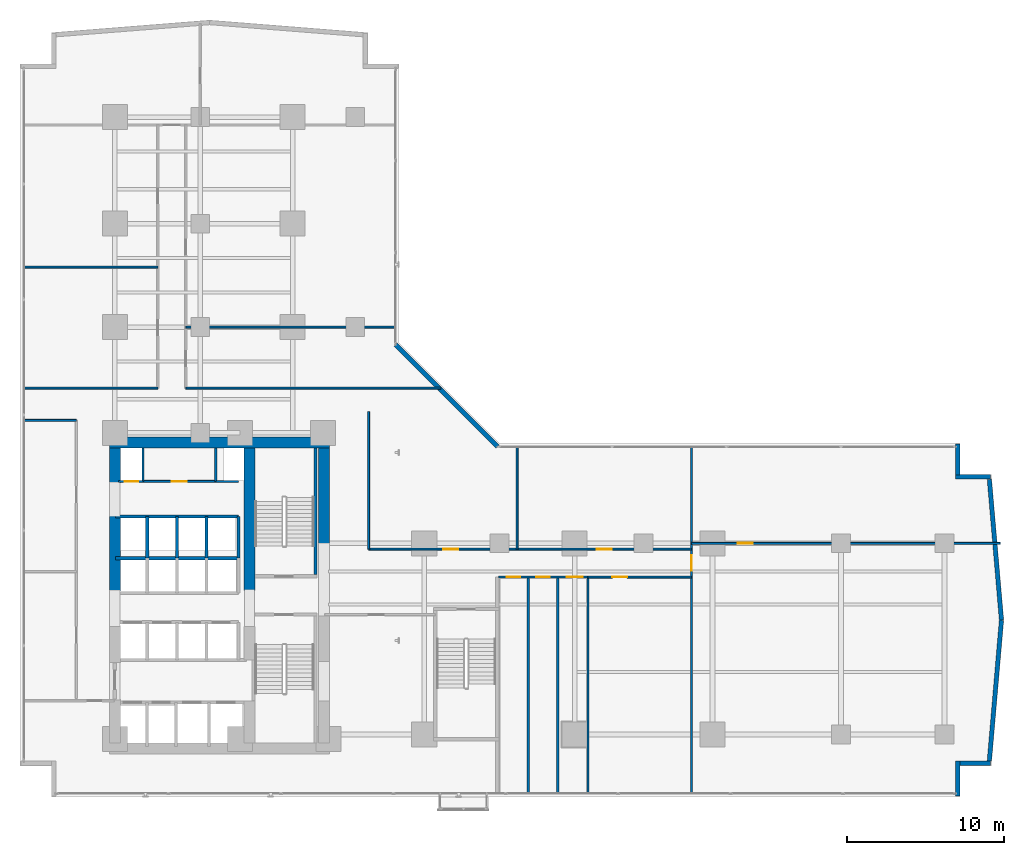
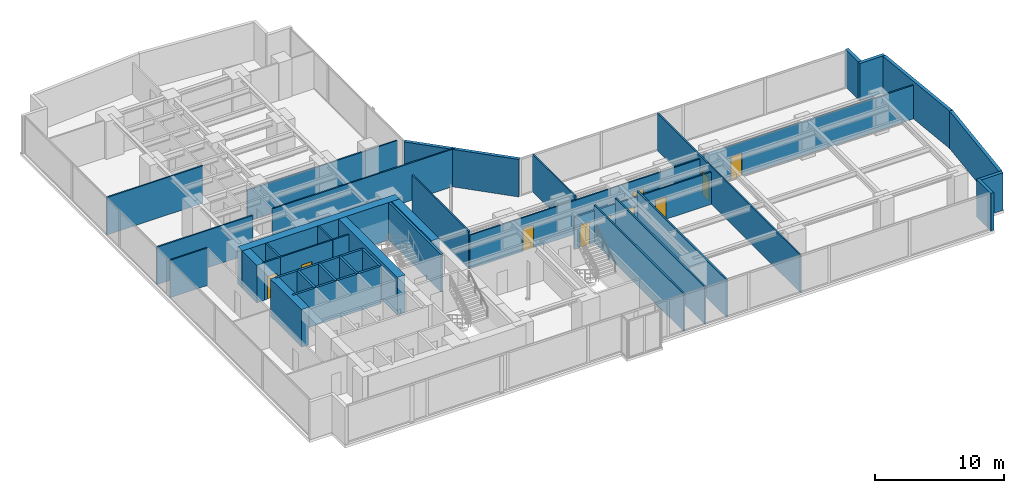
# One storey, part 23 of 27: 39 walls, 10 doors, 10 openings.
"""IFC4 building model written with IfcOpenShell, lengths in metres."""

from ifc_helpers import new_model, si_unit, direction, frame, frame_2d, origin, place, context, subcontext, project, spatial, rectangle, extrude, material, layer, layer_set, type_object, element, fill, save


model = new_model("IFC4")

# Units and contexts
model_context = context("Model", 3, precision=1e-05, world=origin(), true_north=direction((0.0, 1.0)))
body_context = subcontext(model_context, "Body", "Model", "MODEL_VIEW")
ifc_project = project(units=[si_unit("LENGTHUNIT", "METRE"), si_unit("AREAUNIT", "SQUARE_METRE"), si_unit("VOLUMEUNIT", "CUBIC_METRE"), si_unit("PLANEANGLEUNIT", "RADIAN"), si_unit("MASSUNIT", "GRAM", prefix="KILO")], contexts=[model_context])

# Site, building, storey
site_placement = place(None, origin())
site = spatial("IfcSite", under=ifc_project, at=site_placement, CompositionType="ELEMENT")
building_placement = place(site_placement, origin())
building = spatial("IfcBuilding", under=site, at=building_placement, Name="Kolvaren Waterfront Exchange", CompositionType="ELEMENT")
storey_placement = place(building_placement, frame((0.0, 0.0, 33.39990234375)))
storey = spatial("IfcBuildingStorey", under=building, at=storey_placement, Name="L08", CompositionType="ELEMENT", Elevation=33.39990234375)

# Walls
ifc_material_1 = material(Name="Precast concrete C40/50", Category="concrete")
ifc_layer_1 = layer(ifc_material_1, 0.280029296875, Name="Precast concrete C40/50")
ifc_layer_set_1 = layer_set([ifc_layer_1], Name="Precast concrete C40/50")
wall_type_1 = type_object("IfcWallType", Name="ARC-EXT-TERR-280", PredefinedType="SOLIDWALL", material=ifc_layer_set_1)
wall_1_placement = place(storey_placement, frame((61.239990234375, 1.260009765625, 0.0), z_axis=(0.0, 0.0, 1.0), x_axis=(0.0, 1.0, 0.0)))
element("IfcWall", 1, at=wall_1_placement, inside=storey, type_object=wall_type_1, Name="L08 notched corner spandrel pier SE-A", PredefinedType="SOLIDWALL", context=body_context, shape_type="SweptSolid", body=[
    extrude(rectangle(XDim=2.239990234375, YDim=0.280029296875, at=frame_2d((1.1201171875, 0.0))), origin(), (0.0, 0.0, 1.0), 3.5400390625),
])
wall_2_placement = place(storey_placement, frame((61.3798828125, 3.360107421875, 0.0), z_axis=(0.0, 0.0, 1.0), x_axis=(1.0, 0.0, 0.0)))
element("IfcWall", 2, at=wall_2_placement, inside=storey, type_object=wall_type_1, Name="L08 notched corner spandrel pier SE-B", PredefinedType="SOLIDWALL", context=body_context, shape_type="SweptSolid", body=[
    extrude(rectangle(XDim=1.960205078125, YDim=0.280029296875, at=frame_2d((0.97998046875, 0.0))), origin(), (0.0, 0.0, 1.0), 3.5400390625),
])
wall_3_placement = place(storey_placement, frame((61.239990234375, 21.764892578125, 0.0), z_axis=(0.0, 0.0, 1.0), x_axis=(0.0, 1.0, 0.0)))
element("IfcWall", 3, at=wall_3_placement, inside=storey, type_object=wall_type_1, Name="L08 notched corner spandrel pier ENE-A", PredefinedType="SOLIDWALL", context=body_context, shape_type="SweptSolid", body=[
    extrude(rectangle(XDim=1.97509765625, YDim=0.280029296875, at=frame_2d((0.987548828125, 0.0))), origin(), (0.0, 0.0, 1.0), 3.5400390625),
])
wall_4_placement = place(storey_placement, frame((61.10009765625, 21.639892578125, 0.0), z_axis=(0.0, 0.0, 1.0), x_axis=(1.0, 0.0, 0.0)))
element("IfcWall", 4, at=wall_4_placement, inside=storey, type_object=wall_type_1, Name="L08 notched corner spandrel pier ENE-B", PredefinedType="SOLIDWALL", context=body_context, shape_type="SweptSolid", body=[
    extrude(rectangle(XDim=2.239990234375, YDim=0.280029296875, at=frame_2d((1.1201171875, 0.0))), origin(), (0.0, 0.0, 1.0), 3.5400390625),
])
wall_5_placement = place(storey_placement, frame((31.885009765625, 23.574951171875, 0.0), z_axis=(0.0, 0.0, 1.0), x_axis=(-0.707106781187, 0.707106781187, 0.0)))
element("IfcWall", 5, at=wall_5_placement, inside=storey, type_object=wall_type_1, Name="L08 notched corner spandrel pier ELBOW", PredefinedType="SOLIDWALL", context=body_context, shape_type="SweptSolid", body=[
    extrude(rectangle(XDim=9.20654296875, YDim=0.280029296875, at=frame_2d((4.603271484375, 0.0))), origin(), (0.0, 0.0, 1.0), 3.5400390625),
])
for number, where, z_axis, x_axis, name in (
    (6, (63.266357421875, 3.5126953125, 0.0), (0.0, 0.0, 1.0), (0.085692274626, 0.996321651912, 0.0), "L08 east prow faceted facade wall 1"),
    (7, (64.038818359375, 12.506103515625, 0.0), (0.0, 0.0, 1.0), (-0.085692274626, 0.996321651912, 0.0), "L08 east prow faceted facade wall 2"),
):
    element("IfcWall", number, at=place(storey_placement, frame(where, z_axis=z_axis, x_axis=x_axis)), inside=storey, type_object=wall_type_1, Name=name, PredefinedType="SOLIDWALL", context=body_context, shape_type="SweptSolid", body=[
        extrude(rectangle(XDim=9.014404296875, YDim=0.280029296875, at=frame_2d((4.50732421875, 0.0))), origin(), (0.0, 0.0, 1.0), 3.5400390625),
    ])

# Wall, opening, door
ifc_material_2 = material(Name="Acoustic gypsum steel stud", Category="steel")
ifc_layer_2 = layer(ifc_material_2, 0.125, Name="Acoustic gypsum steel stud")
ifc_layer_set_2 = layer_set([ifc_layer_2], Name="Acoustic gypsum steel stud")
wall_type_2 = type_object("IfcWallType", Name="ARC-PART-125", PredefinedType="PARTITIONING", material=ifc_layer_set_2)
wall_6_placement = place(storey_placement, frame((9.25, 21.35009765625, 0.0), z_axis=(0.0, 0.0, 1.0), x_axis=(1.0, 0.0, 0.0)))
wall_6 = element("IfcWall", 8, at=wall_6_placement, inside=storey, type_object=wall_type_2, Name="L08 interior wall PW-L08-SVC-EX-S", PredefinedType="PARTITIONING", context=body_context, shape_type="SweptSolid", body=[
    extrude(rectangle(XDim=4.64990234375, YDim=0.125, at=frame_2d((2.324951171875, 0.0))), origin(), (0.0, 0.0, 1.0), 3.5400390625),
])
opening_1_placement = place(wall_6_placement, frame((1.85009765625, 0.0, 0.0)))
opening_1 = element("IfcOpeningElement", 9, at=opening_1_placement, cuts=wall_6, Name="Opening D02", PredefinedType="OPENING", context=body_context, shape_type="SweptSolid", body=[
    extrude(rectangle(XDim=0.949951171875, YDim=2.14990234375, at=frame_2d((0.47509765625, 1.074951171875))), frame((0.0, 0.072509765625, 0.0), z_axis=(0.0, -1.0, 0.0), x_axis=(1.0, 0.0, 0.0)), (0.0, 0.0, 1.0), 0.14501953125),
])
ifc_material_3 = material(Name="Oak veneer acoustic timber", Category="wood")
door_type_1 = type_object("IfcDoorType", Name="ARC-DR-950", OperationType="NOTDEFINED", PredefinedType="DOOR", material=ifc_material_3)
door_1_placement = place(opening_1_placement, origin())
door_1 = element("IfcDoor", 10, at=door_1_placement, inside=storey, type_object=door_type_1, Name="L08 door DR-L08-SVC-DR-1 (D02)", OperationType="SINGLE_SWING_LEFT", OverallHeight=2.14990234375, OverallWidth=0.949951171875, PredefinedType="DOOR", context=body_context, shape_type="SweptSolid", body=[
    extrude(rectangle(XDim=0.949951171875, YDim=2.14990234375, at=frame_2d((0.47509765625, 1.074951171875))), frame((0.0, 0.02490234375, 0.0), z_axis=(0.0, -1.0, 0.0), x_axis=(1.0, 0.0, 0.0)), (0.0, 0.0, 1.0), 0.050048828125),
])
fill(opening_1, door_1)

# Wall
wall_7_placement = place(storey_placement, frame((1.639892578125, 25.25, 0.0), z_axis=(0.0, 0.0, 1.0), x_axis=(1.0, 0.0, 0.0)))
element("IfcWall", 11, at=wall_7_placement, inside=storey, type_object=wall_type_2, Name="L08 interior wall PW-L08-WFLANK-N", PredefinedType="PARTITIONING", context=body_context, shape_type="SweptSolid", body=[
    extrude(rectangle(XDim=3.360107421875, YDim=0.125, at=frame_2d((1.68017578125, 0.0))), origin(), (0.0, 0.0, 1.0), 3.5400390625),
])

# Wall, opening, door
wall_8_placement = place(storey_placement, frame((37.64990234375, 15.25, 0.0), z_axis=(0.0, 0.0, 1.0), x_axis=(1.0, 0.0, 0.0)))
wall_8 = element("IfcWall", 12, at=wall_8_placement, inside=storey, type_object=wall_type_2, Name="L08 interior wall PW-L08-ES-CORR", PredefinedType="PARTITIONING", context=body_context, shape_type="SweptSolid", body=[
    extrude(rectangle(XDim=6.60009765625, YDim=0.125, at=frame_2d((3.300048828125, 0.0))), origin(), (0.0, 0.0, 1.0), 3.0400390625),
])
opening_2_placement = place(wall_8_placement, frame((1.5556640625, 0.0, 0.0)))
opening_2 = element("IfcOpeningElement", 13, at=opening_2_placement, cuts=wall_8, Name="Opening D02", PredefinedType="OPENING", context=body_context, shape_type="SweptSolid", body=[
    extrude(rectangle(XDim=0.949951171875, YDim=2.14990234375, at=frame_2d((0.47509765625, 1.074951171875))), frame((0.0, 0.072509765625, 0.0), z_axis=(0.0, -1.0, 0.0), x_axis=(1.0, 0.0, 0.0)), (0.0, 0.0, 1.0), 0.14501953125),
])
door_2_placement = place(opening_2_placement, origin())
door_2 = element("IfcDoor", 14, at=door_2_placement, inside=storey, type_object=door_type_1, Name="L08 door DR-L08-ES-D-1 (D02)", OperationType="SINGLE_SWING_LEFT", OverallHeight=2.14990234375, OverallWidth=0.949951171875, PredefinedType="DOOR", context=body_context, shape_type="SweptSolid", body=[
    extrude(rectangle(XDim=0.949951171875, YDim=2.14990234375, at=frame_2d((0.47509765625, 1.074951171875))), frame((0.0, 0.02490234375, 0.0), z_axis=(0.0, -1.0, 0.0), x_axis=(1.0, 0.0, 0.0)), (0.0, 0.0, 1.0), 0.050048828125),
])
fill(opening_2, door_2)

wall_9_placement = place(storey_placement, frame((44.25, 1.43994140625, 0.0), z_axis=(0.0, 0.0, 1.0), x_axis=(0.0, 1.0, 0.0)))
wall_9 = element("IfcWall", 15, at=wall_9_placement, inside=storey, type_object=wall_type_2, Name="L08 interior wall PW-L08-ETIP-W", PredefinedType="PARTITIONING", context=body_context, shape_type="SweptSolid", body=[
    extrude(rectangle(XDim=22.1201171875, YDim=0.125, at=frame_2d((11.06005859375, 0.0))), origin(), (0.0, 0.0, 1.0), 3.5400390625),
])
opening_3_placement = place(wall_9_placement, frame((14.199951171875, 0.0, 0.0)))
opening_3 = element("IfcOpeningElement", 16, at=opening_3_placement, cuts=wall_9, Name="Opening D03", PredefinedType="OPENING", context=body_context, shape_type="SweptSolid", body=[
    extrude(rectangle(XDim=1.0, YDim=2.199951171875, at=frame_2d((0.5, 1.10009765625))), frame((0.0, 0.072509765625, 0.0), z_axis=(0.0, -1.0, 0.0), x_axis=(1.0, 0.0, 0.0)), (0.0, 0.0, 1.0), 0.14501953125),
])
ifc_material_4 = material(Name="Oak veneer accessible timber", Category="wood")
door_type_2 = type_object("IfcDoorType", Name="ARC-DR-1000", OperationType="NOTDEFINED", PredefinedType="DOOR", material=ifc_material_4)
door_3_placement = place(opening_3_placement, origin())
door_3 = element("IfcDoor", 17, at=door_3_placement, inside=storey, type_object=door_type_2, Name="L08 door DR-L08-ETIP1-D (D03)", OperationType="SINGLE_SWING_RIGHT", OverallHeight=2.199951171875, OverallWidth=1.0, PredefinedType="DOOR", context=body_context, shape_type="SweptSolid", body=[
    extrude(rectangle(XDim=1.0, YDim=2.199951171875, at=frame_2d((0.5, 1.10009765625))), frame((0.0, 0.02490234375, 0.0), z_axis=(0.0, -1.0, 0.0), x_axis=(1.0, 0.0, 0.0)), (0.0, 0.0, 1.0), 0.050048828125),
])
fill(opening_3, door_3)

wall_10_placement = place(storey_placement, frame((44.25, 17.39990234375, 0.0), z_axis=(0.0, 0.0, 1.0), x_axis=(1.0, 0.0, 0.0)))
wall_10 = element("IfcWall", 18, at=wall_10_placement, inside=storey, type_object=wall_type_2, Name="L08 interior wall PW-L08-ETIP-MID", PredefinedType="PARTITIONING", context=body_context, shape_type="SweptSolid", body=[
    extrude(rectangle(XDim=19.7099609375, YDim=0.125, at=frame_2d((9.85498046875, 0.0))), origin(), (0.0, 0.0, 1.0), 3.18017578125),
])
opening_4_placement = place(wall_10_placement, frame((2.949951171875, 0.0, 0.0)))
opening_4 = element("IfcOpeningElement", 19, at=opening_4_placement, cuts=wall_10, Name="Opening D02", PredefinedType="OPENING", context=body_context, shape_type="SweptSolid", body=[
    extrude(rectangle(XDim=0.949951171875, YDim=2.14990234375, at=frame_2d((0.47509765625, 1.074951171875))), frame((0.0, 0.072509765625, 0.0), z_axis=(0.0, -1.0, 0.0), x_axis=(1.0, 0.0, 0.0)), (0.0, 0.0, 1.0), 0.14501953125),
])
door_4_placement = place(opening_4_placement, origin())
door_4 = element("IfcDoor", 20, at=door_4_placement, inside=storey, type_object=door_type_1, Name="L08 door DR-L08-ETIP2-D (D02)", OperationType="SINGLE_SWING_LEFT", OverallHeight=2.14990234375, OverallWidth=0.949951171875, PredefinedType="DOOR", context=body_context, shape_type="SweptSolid", body=[
    extrude(rectangle(XDim=0.949951171875, YDim=2.14990234375, at=frame_2d((0.47509765625, 1.074951171875))), frame((0.0, 0.02490234375, 0.0), z_axis=(0.0, -1.0, 0.0), x_axis=(1.0, 0.0, 0.0)), (0.0, 0.0, 1.0), 0.050048828125),
])
fill(opening_4, door_4)

# Wall
wall_11_placement = place(storey_placement, frame((23.64990234375, 17.030029296875, 0.0), z_axis=(0.0, 0.0, 1.0), x_axis=(0.0, 1.0, 0.0)))
element("IfcWall", 21, at=wall_11_placement, inside=storey, type_object=wall_type_2, Name="L08 interior wall PW-L08-EN-W0", PredefinedType="PARTITIONING", context=body_context, shape_type="SweptSolid", body=[
    extrude(rectangle(XDim=8.77001953125, YDim=0.125, at=frame_2d((4.385009765625, 0.0))), origin(), (0.0, 0.0, 1.0), 3.5400390625),
])

# Wall, openings, doors
wall_12_placement = place(storey_placement, frame((23.64990234375, 17.030029296875, 0.0), z_axis=(0.0, 0.0, 1.0), x_axis=(1.0, 0.0, 0.0)))
wall_12 = element("IfcWall", 22, at=wall_12_placement, inside=storey, type_object=wall_type_2, Name="L08 interior wall PW-L08-EN-CORR", PredefinedType="PARTITIONING", context=body_context, shape_type="SweptSolid", body=[
    extrude(rectangle(XDim=20.60009765625, YDim=0.125, at=frame_2d((10.300048828125, 0.0))), origin(), (0.0, 0.0, 1.0), 3.18017578125),
])
opening_5_placement = place(wall_12_placement, frame((4.7568359375, 0.0, 0.0)))
opening_5 = element("IfcOpeningElement", 23, at=opening_5_placement, cuts=wall_12, Name="Opening D02", PredefinedType="OPENING", context=body_context, shape_type="SweptSolid", body=[
    extrude(rectangle(XDim=0.949951171875, YDim=2.14990234375, at=frame_2d((0.47509765625, 1.074951171875))), frame((0.0, 0.072509765625, 0.0), z_axis=(0.0, -1.0, 0.0), x_axis=(1.0, 0.0, 0.0)), (0.0, 0.0, 1.0), 0.14501953125),
])
opening_6_placement = place(wall_12_placement, frame((14.56494140625, 0.0, 0.0)))
opening_6 = element("IfcOpeningElement", 24, at=opening_6_placement, cuts=wall_12, Name="Opening D02", PredefinedType="OPENING", context=body_context, shape_type="SweptSolid", body=[
    extrude(rectangle(XDim=0.949951171875, YDim=2.14990234375, at=frame_2d((0.47509765625, 1.074951171875))), frame((0.0, 0.072509765625, 0.0), z_axis=(0.0, -1.0, 0.0), x_axis=(1.0, 0.0, 0.0)), (0.0, 0.0, 1.0), 0.14501953125),
])
door_5_placement = place(opening_5_placement, origin())
door_5 = element("IfcDoor", 25, at=door_5_placement, inside=storey, type_object=door_type_1, Name="L08 door DR-L08-EN-D-1 (D02)", OperationType="SINGLE_SWING_RIGHT", OverallHeight=2.14990234375, OverallWidth=0.949951171875, PredefinedType="DOOR", context=body_context, shape_type="SweptSolid", body=[
    extrude(rectangle(XDim=0.949951171875, YDim=2.14990234375, at=frame_2d((0.47509765625, 1.074951171875))), frame((0.0, 0.02490234375, 0.0), z_axis=(0.0, -1.0, 0.0), x_axis=(1.0, 0.0, 0.0)), (0.0, 0.0, 1.0), 0.050048828125),
])
fill(opening_5, door_5)
door_6_placement = place(opening_6_placement, origin())
door_6 = element("IfcDoor", 26, at=door_6_placement, inside=storey, type_object=door_type_1, Name="L08 door DR-L08-EN-D-2 (D02)", OperationType="SINGLE_SWING_LEFT", OverallHeight=2.14990234375, OverallWidth=0.949951171875, PredefinedType="DOOR", context=body_context, shape_type="SweptSolid", body=[
    extrude(rectangle(XDim=0.949951171875, YDim=2.14990234375, at=frame_2d((0.47509765625, 1.074951171875))), frame((0.0, 0.02490234375, 0.0), z_axis=(0.0, -1.0, 0.0), x_axis=(1.0, 0.0, 0.0)), (0.0, 0.0, 1.0), 0.050048828125),
])
fill(opening_6, door_6)

# Walls
wall_13_placement = place(storey_placement, frame((33.1298828125, 17.030029296875, 0.0), z_axis=(0.0, 0.0, 1.0), x_axis=(0.0, 1.0, 0.0)))
element("IfcWall", 27, at=wall_13_placement, inside=storey, type_object=wall_type_2, Name="L08 interior wall PW-L08-EN-DIV-1", PredefinedType="PARTITIONING", context=body_context, shape_type="SweptSolid", body=[
    extrude(rectangle(XDim=6.530029296875, YDim=0.125, at=frame_2d((3.26513671875, 0.0))), origin(), (0.0, 0.0, 1.0), 3.5400390625),
])
for number, where, z_axis, x_axis, name in (
    (28, (1.639892578125, 27.300048828125, 0.0), (0.0, 0.0, 1.0), (1.0, 0.0, 0.0), "L08 interior wall PW-L08-NW-S0"),
    (29, (1.639892578125, 35.030029296875, 0.0), (0.0, 0.0, 1.0), (1.0, 0.0, 0.0), "L08 interior wall PW-L08-NW-DIV-1"),
):
    element("IfcWall", number, at=place(storey_placement, frame(where, z_axis=z_axis, x_axis=x_axis)), inside=storey, type_object=wall_type_2, Name=name, PredefinedType="PARTITIONING", context=body_context, shape_type="SweptSolid", body=[
        extrude(rectangle(XDim=8.56005859375, YDim=0.125, at=frame_2d((4.280029296875, 0.0))), origin(), (0.0, 0.0, 1.0), 3.5400390625),
    ])
wall_14_placement = place(storey_placement, frame((11.97998046875, 27.300048828125, 0.0), z_axis=(0.0, 0.0, 1.0), x_axis=(1.0, 0.0, 0.0)))
element("IfcWall", 30, at=wall_14_placement, inside=storey, type_object=wall_type_2, Name="L08 interior wall PW-L08-NE-S0", PredefinedType="PARTITIONING", context=body_context, shape_type="SweptSolid", body=[
    extrude(rectangle(XDim=16.280029296875, YDim=0.125, at=frame_2d((8.14013671875, 0.0))), origin(), (0.0, 0.0, 1.0), 3.5400390625),
])
wall_15_placement = place(storey_placement, frame((11.97998046875, 31.199951171875, 0.0), z_axis=(0.0, 0.0, 1.0), x_axis=(1.0, 0.0, 0.0)))
element("IfcWall", 31, at=wall_15_placement, inside=storey, type_object=wall_type_2, Name="L08 interior wall PW-L08-NE-DIV-1", PredefinedType="PARTITIONING", context=body_context, shape_type="SweptSolid", body=[
    extrude(rectangle(XDim=13.380126953125, YDim=0.125, at=frame_2d((6.68994140625, 0.0))), origin(), (0.0, 0.0, 1.0), 2.940185546875),
])
ifc_material_5 = material(Name="Gypsum fireboard steel stud", Category="steel")
ifc_layer_3 = layer(ifc_material_5, 0.14990234375, Name="Gypsum fireboard steel stud")
ifc_layer_set_3 = layer_set([ifc_layer_3], Name="Gypsum fireboard steel stud")
wall_type_3 = type_object("IfcWallType", Name="ARC-PART-150", PredefinedType="PARTITIONING", material=ifc_layer_set_3)
for number, where, z_axis, x_axis, name in (
    (32, (9.25, 21.35009765625, 0.0), (0.0, 0.0, 1.0), (0.0, 1.0, 0.0), "L08 interior wall PW-L08-SVC-R1"),
    (33, (13.89990234375, 21.35009765625, 0.0), (0.0, 0.0, 1.0), (0.0, 1.0, 0.0), "L08 interior wall PW-L08-SVC-R2"),
):
    element("IfcWall", number, at=place(storey_placement, frame(where, z_axis=z_axis, x_axis=x_axis)), inside=storey, type_object=wall_type_3, Name=name, PredefinedType="PARTITIONING", context=body_context, shape_type="SweptSolid", body=[
        extrude(rectangle(XDim=2.1298828125, YDim=0.14990234375, at=frame_2d((1.06494140625, 0.0))), origin(), (0.0, 0.0, 1.0), 3.5400390625),
    ])

# Wall, opening, door
wall_16_placement = place(storey_placement, frame((7.699951171875, 21.35009765625, 0.0), z_axis=(0.0, 0.0, 1.0), x_axis=(1.0, 0.0, 0.0)))
wall_16 = element("IfcWall", 34, at=wall_16_placement, inside=storey, type_object=wall_type_3, Name="L08 interior wall PW-L08-SVC-RE-S", PredefinedType="PARTITIONING", context=body_context, shape_type="SweptSolid", body=[
    extrude(rectangle(XDim=1.550048828125, YDim=0.14990234375, at=frame_2d((0.77490234375, 0.0))), origin(), (0.0, 0.0, 1.0), 3.5400390625),
])
opening_7_placement = place(wall_16_placement, frame((0.389892578125, 0.0, 0.0)))
opening_7 = element("IfcOpeningElement", 35, at=opening_7_placement, cuts=wall_16, Name="Opening FD1", PredefinedType="OPENING", context=body_context, shape_type="SweptSolid", body=[
    extrude(rectangle(XDim=0.85009765625, YDim=2.14990234375, at=frame_2d((0.425048828125, 1.074951171875))), frame((0.0, 0.0849609375, 0.0), z_axis=(0.0, -1.0, 0.0), x_axis=(1.0, 0.0, 0.0)), (0.0, 0.0, 1.0), 0.169921875),
])
ifc_material_6 = material(Name="Pressed steel fire leaf", Category="steel")
door_type_3 = type_object("IfcDoorType", Name="ARC-FD-900", OperationType="NOTDEFINED", PredefinedType="DOOR", material=ifc_material_6)
door_7_placement = place(opening_7_placement, origin())
door_7 = element("IfcDoor", 36, at=door_7_placement, inside=storey, type_object=door_type_3, Name="L08 door DR-L08-RISER-E-DR (FD1)", OperationType="SINGLE_SWING_RIGHT", OverallHeight=2.14990234375, OverallWidth=0.85009765625, PredefinedType="DOOR", context=body_context, shape_type="SweptSolid", body=[
    extrude(rectangle(XDim=0.85009765625, YDim=2.14990234375, at=frame_2d((0.425048828125, 1.074951171875))), frame((0.0, 0.02490234375, 0.0), z_axis=(0.0, -1.0, 0.0), x_axis=(1.0, 0.0, 0.0)), (0.0, 0.0, 1.0), 0.050048828125),
])
fill(opening_7, door_7)

# Wall
wall_17_placement = place(storey_placement, frame((13.89990234375, 21.35009765625, 0.0), z_axis=(0.0, 0.0, 1.0), x_axis=(1.0, 0.0, 0.0)))
element("IfcWall", 37, at=wall_17_placement, inside=storey, type_object=wall_type_3, Name="L08 interior wall PW-L08-SVC-RP-S", PredefinedType="PARTITIONING", context=body_context, shape_type="SweptSolid", body=[
    extrude(rectangle(XDim=1.4501953125, YDim=0.14990234375, at=frame_2d((0.72509765625, 0.0))), origin(), (0.0, 0.0, 1.0), 3.5400390625),
])

# Wall, openings, doors
ifc_material_7 = material(Name="Moisture-resistant gypsum stud")
ifc_layer_4 = layer(ifc_material_7, 0.14990234375, Name="Moisture-resistant gypsum stud")
ifc_layer_set_4 = layer_set([ifc_layer_4], Name="Moisture-resistant gypsum stud")
wall_type_4 = type_object("IfcWallType", Name="ARC-PLUMB-150", PredefinedType="PLUMBINGWALL", material=ifc_layer_set_4)
wall_18_placement = place(storey_placement, frame((31.949951171875, 15.25, 0.0), z_axis=(0.0, 0.0, 1.0), x_axis=(1.0, 0.0, 0.0)))
wall_18 = element("IfcWall", 38, at=wall_18_placement, inside=storey, type_object=wall_type_4, Name="L08 interior wall PW-L08-WC-N", PredefinedType="PLUMBINGWALL", context=body_context, shape_type="SweptSolid", body=[
    extrude(rectangle(XDim=5.699951171875, YDim=0.14990234375, at=frame_2d((2.85009765625, 0.0))), origin(), (0.0, 0.0, 1.0), 3.0400390625),
])
opening_8_placement = place(wall_18_placement, frame((0.514892578125, 0.0, 0.0)))
opening_8 = element("IfcOpeningElement", 39, at=opening_8_placement, cuts=wall_18, Name="Opening D01", PredefinedType="OPENING", context=body_context, shape_type="SweptSolid", body=[
    extrude(rectangle(XDim=0.85009765625, YDim=2.14990234375, at=frame_2d((0.425048828125, 1.074951171875))), frame((0.0, 0.0849609375, 0.0), z_axis=(0.0, -1.0, 0.0), x_axis=(1.0, 0.0, 0.0)), (0.0, 0.0, 1.0), 0.169921875),
])
opening_9_placement = place(wall_18_placement, frame((2.39501953125, 0.0, 0.0)))
opening_9 = element("IfcOpeningElement", 40, at=opening_9_placement, cuts=wall_18, Name="Opening D01", PredefinedType="OPENING", context=body_context, shape_type="SweptSolid", body=[
    extrude(rectangle(XDim=0.85009765625, YDim=2.14990234375, at=frame_2d((0.425048828125, 1.074951171875))), frame((0.0, 0.0849609375, 0.0), z_axis=(0.0, -1.0, 0.0), x_axis=(1.0, 0.0, 0.0)), (0.0, 0.0, 1.0), 0.169921875),
])
opening_10_placement = place(wall_18_placement, frame((4.35009765625, 0.0, 0.0)))
opening_10 = element("IfcOpeningElement", 41, at=opening_10_placement, cuts=wall_18, Name="Opening D03", PredefinedType="OPENING", context=body_context, shape_type="SweptSolid", body=[
    extrude(rectangle(XDim=1.0, YDim=2.199951171875, at=frame_2d((0.5, 1.10009765625))), frame((0.0, 0.0849609375, 0.0), z_axis=(0.0, -1.0, 0.0), x_axis=(1.0, 0.0, 0.0)), (0.0, 0.0, 1.0), 0.169921875),
])
door_8_placement = place(opening_10_placement, origin())
door_8 = element("IfcDoor", 42, at=door_8_placement, inside=storey, type_object=door_type_2, Name="L08 door DR-L08-WCA-D (D03)", OperationType="SINGLE_SWING_RIGHT", OverallHeight=2.199951171875, OverallWidth=1.0, PredefinedType="DOOR", context=body_context, shape_type="SweptSolid", body=[
    extrude(rectangle(XDim=1.0, YDim=2.199951171875, at=frame_2d((0.5, 1.10009765625))), frame((0.0, 0.02490234375, 0.0), z_axis=(0.0, -1.0, 0.0), x_axis=(1.0, 0.0, 0.0)), (0.0, 0.0, 1.0), 0.050048828125),
])
fill(opening_10, door_8)
ifc_material_8 = material(Name="Oak veneer timber leaf", Category="wood")
door_type_4 = type_object("IfcDoorType", Name="ARC-DR-900", OperationType="NOTDEFINED", PredefinedType="DOOR", material=ifc_material_8)
door_9_placement = place(opening_8_placement, origin())
door_9 = element("IfcDoor", 43, at=door_9_placement, inside=storey, type_object=door_type_4, Name="L08 door DR-L08-WCM-D (D01)", OperationType="SINGLE_SWING_RIGHT", OverallHeight=2.14990234375, OverallWidth=0.85009765625, PredefinedType="DOOR", context=body_context, shape_type="SweptSolid", body=[
    extrude(rectangle(XDim=0.85009765625, YDim=2.14990234375, at=frame_2d((0.425048828125, 1.074951171875))), frame((0.0, 0.02490234375, 0.0), z_axis=(0.0, -1.0, 0.0), x_axis=(1.0, 0.0, 0.0)), (0.0, 0.0, 1.0), 0.050048828125),
])
fill(opening_8, door_9)
door_10_placement = place(opening_9_placement, origin())
door_10 = element("IfcDoor", 44, at=door_10_placement, inside=storey, type_object=door_type_4, Name="L08 door DR-L08-WCF-D (D01)", OperationType="SINGLE_SWING_LEFT", OverallHeight=2.14990234375, OverallWidth=0.85009765625, PredefinedType="DOOR", context=body_context, shape_type="SweptSolid", body=[
    extrude(rectangle(XDim=0.85009765625, YDim=2.14990234375, at=frame_2d((0.425048828125, 1.074951171875))), frame((0.0, 0.02490234375, 0.0), z_axis=(0.0, -1.0, 0.0), x_axis=(1.0, 0.0, 0.0)), (0.0, 0.0, 1.0), 0.050048828125),
])
fill(opening_9, door_10)

# Walls
for number, where, z_axis, x_axis, name in (
    (45, (33.830078125, 1.43994140625, 0.0), (0.0, 0.0, 1.0), (0.0, 1.0, 0.0), "L08 interior wall PW-L08-WC-1"),
    (46, (35.7099609375, 1.43994140625, 0.0), (0.0, 0.0, 1.0), (0.0, 1.0, 0.0), "L08 interior wall PW-L08-WC-2"),
    (47, (37.64990234375, 1.43994140625, 0.0), (0.0, 0.0, 1.0), (0.0, 1.0, 0.0), "L08 interior wall PW-L08-WC-3"),
):
    element("IfcWall", number, at=place(storey_placement, frame(where, z_axis=z_axis, x_axis=x_axis)), inside=storey, type_object=wall_type_4, Name=name, PredefinedType="PLUMBINGWALL", context=body_context, shape_type="SweptSolid", body=[
        extrude(rectangle(XDim=13.81005859375, YDim=0.14990234375, at=frame_2d((6.905029296875, 0.0))), origin(), (0.0, 0.0, 1.0), 3.5400390625),
    ])
ifc_material_9 = material(Name="Concrete C40/50", Category="concrete")
ifc_layer_5 = layer(ifc_material_9, 0.199951171875, Name="Concrete C40/50")
ifc_layer_set_5 = layer_set([ifc_layer_5], Name="Concrete C40/50")
wall_type_5 = type_object("IfcWallType", Name="ARC-SHAFT-200", PredefinedType="PARTITIONING", material=ifc_layer_set_5)
wall_19_placement = place(storey_placement, frame((20.260009765625, 15.39990234375, 0.0), z_axis=(0.0, 0.0, 1.0), x_axis=(0.0, 1.0, 0.0)))
element("IfcWall", 48, at=wall_19_placement, inside=storey, type_object=wall_type_5, Name="L08 structural stairwell wall PW-L08-ST2-E", PredefinedType="SHEAR", context=body_context, shape_type="SweptSolid", body=[
    extrude(rectangle(XDim=8.090087890625, YDim=0.199951171875, at=frame_2d((4.044921875, 0.0))), origin(), (0.0, 0.0, 1.0), 3.5400390625),
])
for number, where, z_axis, x_axis, name in (
    (49, (7.5, 16.449951171875, 0.0), (0.0, 0.0, 1.0), (1.0, 0.0, 0.0), "L08 interior wall PW-L08-PM-N"),
    (50, (7.5, 19.1201171875, 0.0), (0.0, 0.0, 1.0), (1.0, 0.0, 0.0), "L08 interior wall PW-L08-PH-N"),
):
    element("IfcWall", number, at=place(storey_placement, frame(where, z_axis=z_axis, x_axis=x_axis)), inside=storey, type_object=wall_type_5, Name=name, PredefinedType="PARTITIONING", context=body_context, shape_type="SweptSolid", body=[
        extrude(rectangle(XDim=7.85009765625, YDim=0.199951171875, at=frame_2d((3.925048828125, 0.0))), origin(), (0.0, 0.0, 1.0), 3.5400390625),
    ])
for number, where, z_axis, x_axis, name in (
    (51, (15.35009765625, 16.449951171875, 0.0), (0.0, 0.0, 1.0), (0.0, 1.0, 0.0), "L08 interior wall PW-L08-PH-E"),
    (52, (9.52001953125, 16.449951171875, 0.0), (0.0, 0.0, 1.0), (0.0, 1.0, 0.0), "L08 interior wall PW-L08-SH4-DIV-95"),
    (53, (11.409912109375, 16.449951171875, 0.0), (0.0, 0.0, 1.0), (0.0, 1.0, 0.0), "L08 interior wall PW-L08-SH4-DIV-114"),
    (54, (13.300048828125, 16.449951171875, 0.0), (0.0, 0.0, 1.0), (0.0, 1.0, 0.0), "L08 interior wall PW-L08-SH4-DIV-133"),
):
    element("IfcWall", number, at=place(storey_placement, frame(where, z_axis=z_axis, x_axis=x_axis)), inside=storey, type_object=wall_type_5, Name=name, PredefinedType="PARTITIONING", context=body_context, shape_type="SweptSolid", body=[
        extrude(rectangle(XDim=2.670166015625, YDim=0.199951171875, at=frame_2d((1.3349609375, 0.0))), origin(), (0.0, 0.0, 1.0), 3.5400390625),
    ])
ifc_material_10 = material(Name="Concrete C70/85", Category="concrete")
ifc_layer_6 = layer(ifc_material_10, 0.699951171875, Name="Concrete C70/85")
ifc_layer_set_6 = layer_set([ifc_layer_6], Name="Concrete C70/85")
wall_type_6 = type_object("IfcWallType", Name="STR-CWALL-700", PredefinedType="SHEAR", material=ifc_layer_set_6)
wall_20_placement = place(storey_placement, frame((7.10009765625, 23.85009765625, 0.0), z_axis=(0.0, 0.0, 1.0), x_axis=(1.0, 0.0, 0.0)))
element("IfcWall", 55, at=wall_20_placement, inside=storey, type_object=wall_type_6, Name="L08 rear-core shear wall N", PredefinedType="SHEAR", context=body_context, shape_type="SweptSolid", body=[
    extrude(rectangle(XDim=14.0498046875, YDim=0.699951171875, at=frame_2d((7.02490234375, 0.0))), origin(), (0.0, 0.0, 1.0), 3.5400390625),
])
wall_21_placement = place(storey_placement, frame((7.449951171875, 14.35009765625, 0.0), z_axis=(0.0, 0.0, 1.0), x_axis=(0.0, 1.0, 0.0)))
element("IfcWall", 56, at=wall_21_placement, inside=storey, type_object=wall_type_6, Name="L08 rear-core shear wall W2B", PredefinedType="SHEAR", context=body_context, shape_type="SweptSolid", body=[
    extrude(rectangle(XDim=4.809814453125, YDim=0.699951171875, at=frame_2d((2.40478515625, 0.0))), origin(), (0.0, 0.0, 1.0), 3.5400390625),
])
wall_22_placement = place(storey_placement, frame((7.449951171875, 21.239990234375, 0.0), z_axis=(0.0, 0.0, 1.0), x_axis=(0.0, 1.0, 0.0)))
element("IfcWall", 57, at=wall_22_placement, inside=storey, type_object=wall_type_6, Name="L08 rear-core shear wall W3", PredefinedType="SHEAR", context=body_context, shape_type="SweptSolid", body=[
    extrude(rectangle(XDim=2.260009765625, YDim=0.699951171875, at=frame_2d((1.1298828125, 0.0))), origin(), (0.0, 0.0, 1.0), 3.5400390625),
])
wall_23_placement = place(storey_placement, frame((20.800048828125, 17.35009765625, 0.0), z_axis=(0.0, 0.0, 1.0), x_axis=(0.0, 1.0, 0.0)))
element("IfcWall", 58, at=wall_23_placement, inside=storey, type_object=wall_type_6, Name="L08 rear-core shear wall E3", PredefinedType="SHEAR", context=body_context, shape_type="SweptSolid", body=[
    extrude(rectangle(XDim=6.14990234375, YDim=0.699951171875, at=frame_2d((3.074951171875, 0.0))), origin(), (0.0, 0.0, 1.0), 3.5400390625),
])
wall_24_placement = place(storey_placement, frame((16.050048828125, 14.39990234375, 0.0), z_axis=(0.0, 0.0, 1.0), x_axis=(0.0, 1.0, 0.0)))
element("IfcWall", 59, at=wall_24_placement, inside=storey, type_object=wall_type_6, Name="L08 rear-core shear wall M3", PredefinedType="SHEAR", context=body_context, shape_type="SweptSolid", body=[
    extrude(rectangle(XDim=9.10009765625, YDim=0.699951171875, at=frame_2d((4.550048828125, 0.0))), origin(), (0.0, 0.0, 1.0), 3.5400390625),
])

save(model, "model.ifc")
